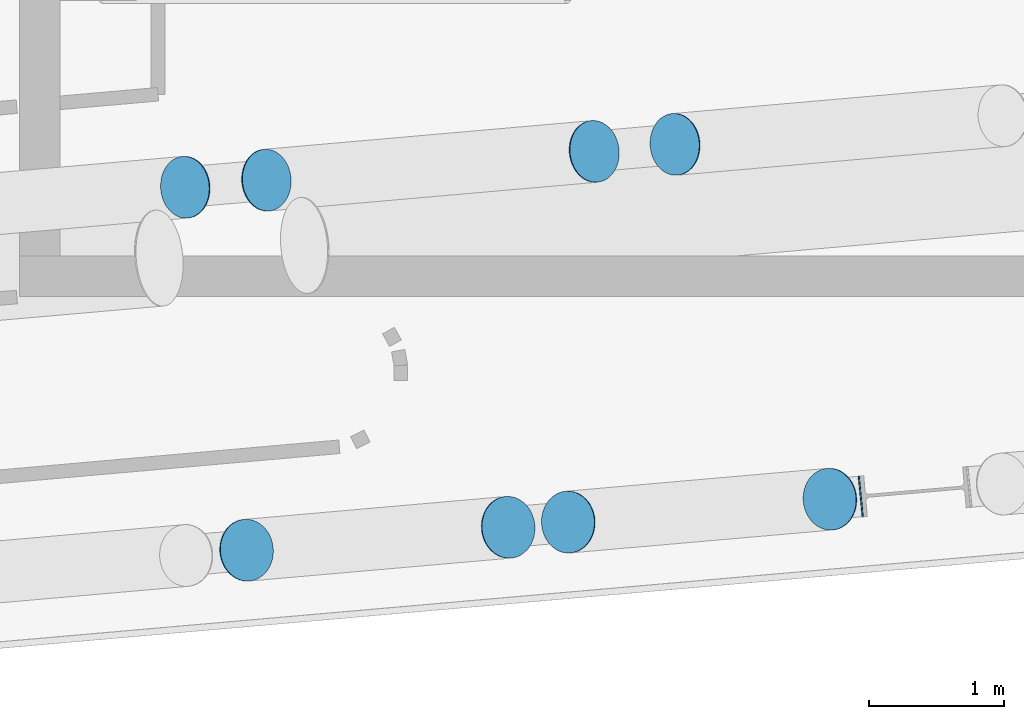
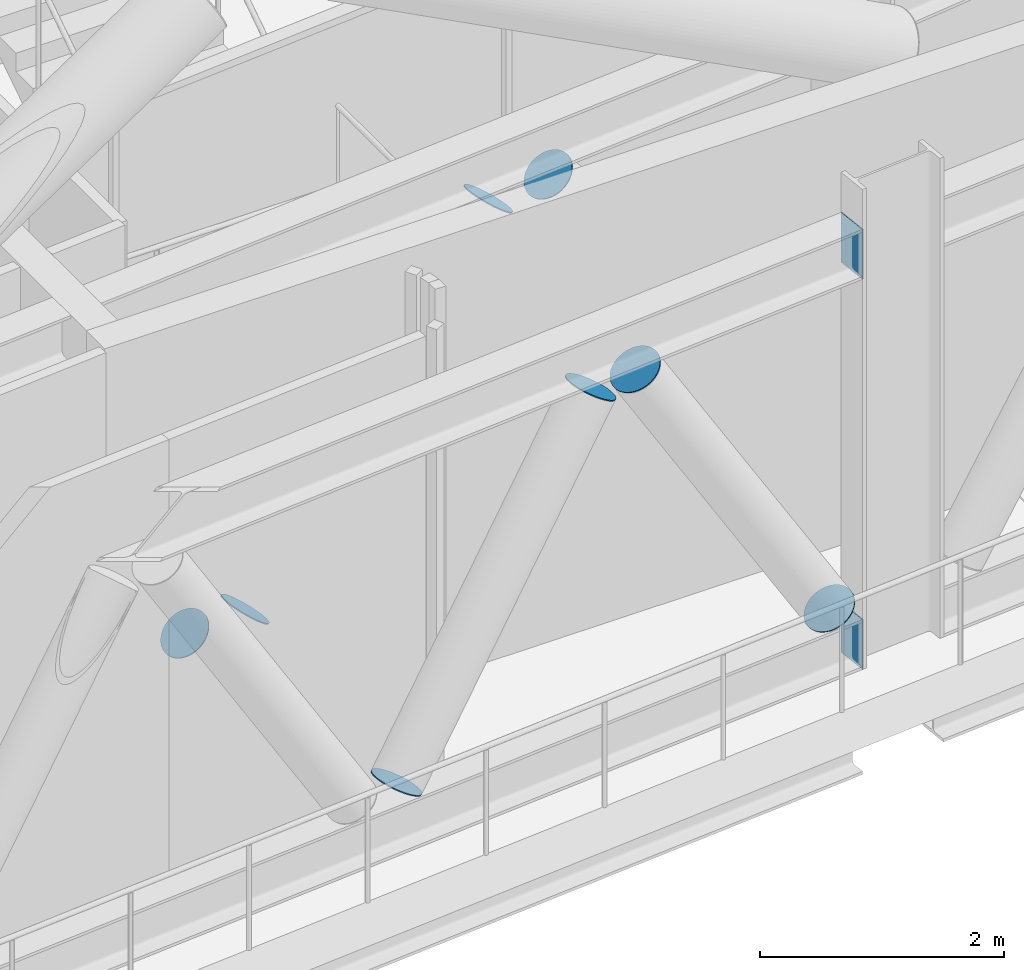
# One storey, part 30 of 42: 10 discrete accessories.
"""IFC4 building model written with IfcOpenShell, lengths in metres."""

from ifc_helpers import new_model, si_unit, direction, frame, origin, origin_2d, place, context, subcontext, project, spatial, rectangle, circle, extrude, material, material_profile, profile_set, type_object, element, save


model = new_model("IFC4")

# Units and contexts
model_context = context("Model", 3, precision=1e-05, world=origin(), true_north=direction((0.0, 1.0)))
body_context = subcontext(model_context, "Body", "Model", "MODEL_VIEW")
ifc_project = project(units=[si_unit("LENGTHUNIT", "METRE"), si_unit("AREAUNIT", "SQUARE_METRE"), si_unit("VOLUMEUNIT", "CUBIC_METRE"), si_unit("PLANEANGLEUNIT", "RADIAN"), si_unit("MASSUNIT", "GRAM", prefix="KILO")], contexts=[model_context])

# Site, building, storey
site_placement = place(None, origin())
site = spatial("IfcSite", under=ifc_project, at=site_placement, CompositionType="ELEMENT")
building_placement = place(site_placement, origin())
building = spatial("IfcBuilding", under=site, at=building_placement, Name="Wharfspan Tower", CompositionType="ELEMENT")
storey_placement = place(building_placement, frame((0.0, 0.0, 147.100098)))
storey = spatial("IfcBuildingStorey", under=building, at=storey_placement, Name="L35", CompositionType="ELEMENT", Elevation=147.100098)

# Discrete accessories
ifc_material_1 = material(Name="Steel S460NH", Category="steel")
ifc_material_profile_1 = material_profile(ifc_material_1, circle(Radius=0.228516, at=origin_2d()))
ifc_profile_set_1 = profile_set([ifc_material_profile_1], Name="Steel S460NH")
discrete_accessory_type_1 = type_object("IfcDiscreteAccessoryType", Name="End plate CHS 457x16", PredefinedType="BRACKET", material=ifc_profile_set_1)
for number, where, z_axis, x_axis, name in (
    (1, (65.009033, 3.102783, 0.640137), (0.614899, 0.049192, -0.78707), (-0.079745, 0.996811, 0.0), "End plate CHS 457x16"),
    (2, (65.607422, 3.155029, 0.632324), (0.614899, 0.049192, 0.78707), (-0.079745, 0.996811, 0.0), "End plate CHS 457x16"),
):
    element("IfcDiscreteAccessory", number, at=place(storey_placement, frame(where, z_axis=z_axis, x_axis=x_axis)), inside=storey, type_object=discrete_accessory_type_1, Name=name, PredefinedType="BRACKET", context=body_context, shape_type="SweptSolid", body=[
        extrude(circle(Radius=0.228516, at=origin_2d()), origin(), (0.0, 0.0, 1.0), 0.01001),
    ])
discrete_accessory_placement = place(storey_placement, frame((68.030029, 3.366943, 3.759521), z_axis=(0.602279, 0.072273, 0.795008), x_axis=(-0.119146, 0.992879, 1e-06)))
element("IfcDiscreteAccessory", 3, at=discrete_accessory_placement, inside=storey, type_object=discrete_accessory_type_1, Name="End plate CHS 457x16", PredefinedType="BRACKET", context=body_context, shape_type="SweptSolid", body=[
    extrude(circle(Radius=0.228516, at=origin_2d()), origin(), (0.0, 0.0, 1.0), 0.010254),
])
for number, where, z_axis, x_axis, name in (
    (4, (68.628418, 3.419434, 3.767578), (0.603154, 0.048252, -0.796164), (-0.079745, 0.996819, 0.0), "End plate CHS 457x16"),
    (5, (65.461182, 0.420166, 0.610596), (0.513879, 0.048941, 0.856465), (-0.094811, 0.995495, 1e-06), "End plate CHS 457x16"),
    (6, (67.394531, 0.589355, 3.780518), (0.513879, 0.048941, 0.856465), (-0.094811, 0.995495, 1e-06), "End plate CHS 457x16"),
    (7, (67.839844, 0.628418, 3.789062), (0.514341, 0.024492, -0.857236), (-0.047566, 0.998868, -1e-06), "End plate CHS 457x16"),
    (8, (69.773438, 0.797363, 0.619141), (0.513879, 0.048941, -0.856465), (-0.094811, 0.995495, -1e-06), "End plate CHS 457x16"),
):
    element("IfcDiscreteAccessory", number, at=place(storey_placement, frame(where, z_axis=z_axis, x_axis=x_axis)), inside=storey, type_object=discrete_accessory_type_1, Name=name, PredefinedType="BRACKET", context=body_context, shape_type="SweptSolid", body=[
        extrude(circle(Radius=0.228516, at=origin_2d()), origin(), (0.0, 0.0, 1.0), 0.01001),
    ])
ifc_material_2 = material(Name="Steel S355J2", Category="steel")
ifc_material_profile_2 = material_profile(ifc_material_2, rectangle(XDim=0.300049, YDim=0.5, at=origin_2d()))
ifc_profile_set_2 = profile_set([ifc_material_profile_2], Name="Steel S355J2")
discrete_accessory_type_2 = type_object("IfcDiscreteAccessoryType", Name="End plate HEB 500", PredefinedType="BRACKET", material=ifc_profile_set_2)
for number, where, z_axis, x_axis, name in (
    (9, (69.998535, 0.817139, 4.149902), (0.995275, 0.0971, 0.0), (-0.0971, 0.995275, 0.0), "End plate HEB 500"),
    (10, (69.998535, 0.817139, 0.25), (0.995275, 0.0971, 0.0), (-0.0971, 0.995275, 0.0), "End plate HEB 500"),
):
    element("IfcDiscreteAccessory", number, at=place(storey_placement, frame(where, z_axis=z_axis, x_axis=x_axis)), inside=storey, type_object=discrete_accessory_type_2, Name=name, PredefinedType="BRACKET", context=body_context, shape_type="SweptSolid", body=[
        extrude(rectangle(XDim=0.300049, YDim=0.5, at=origin_2d()), origin(), (0.0, 0.0, 1.0), 0.01001),
    ])

save(model, "model.ifc")
